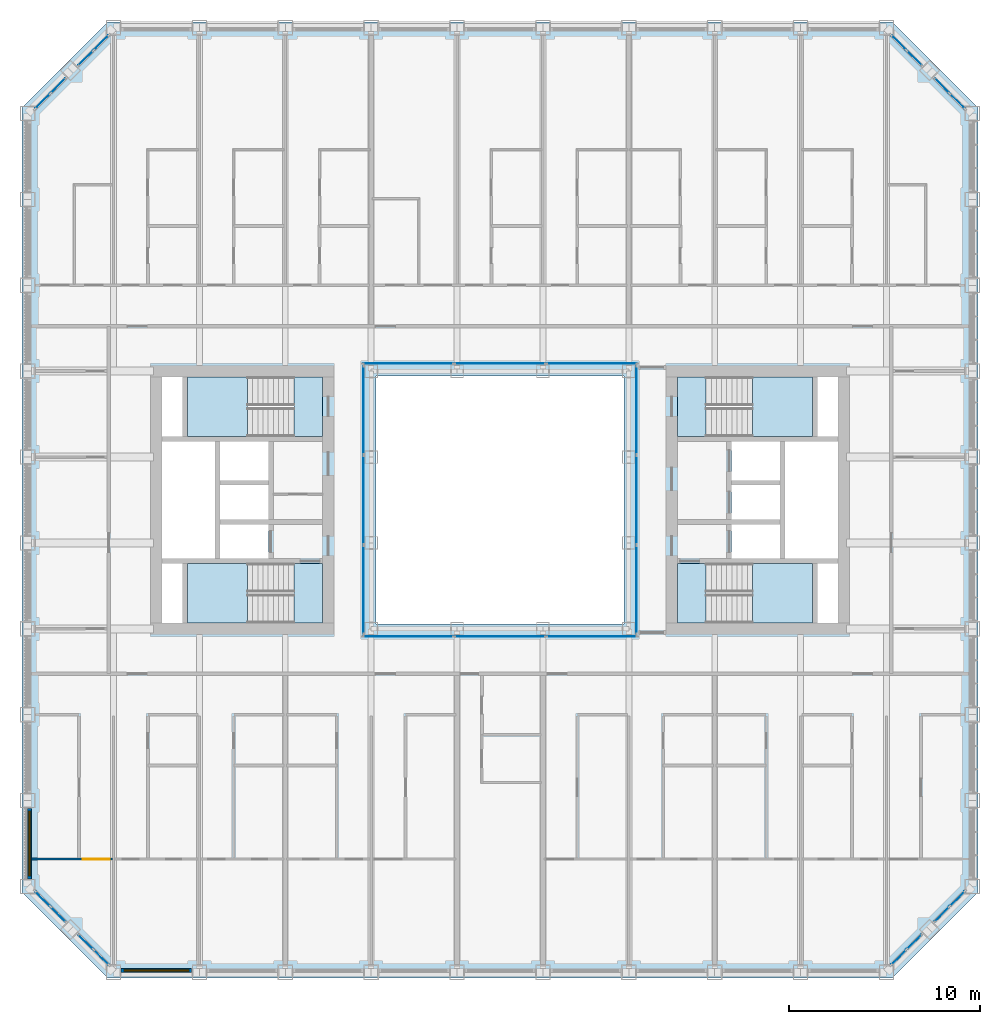
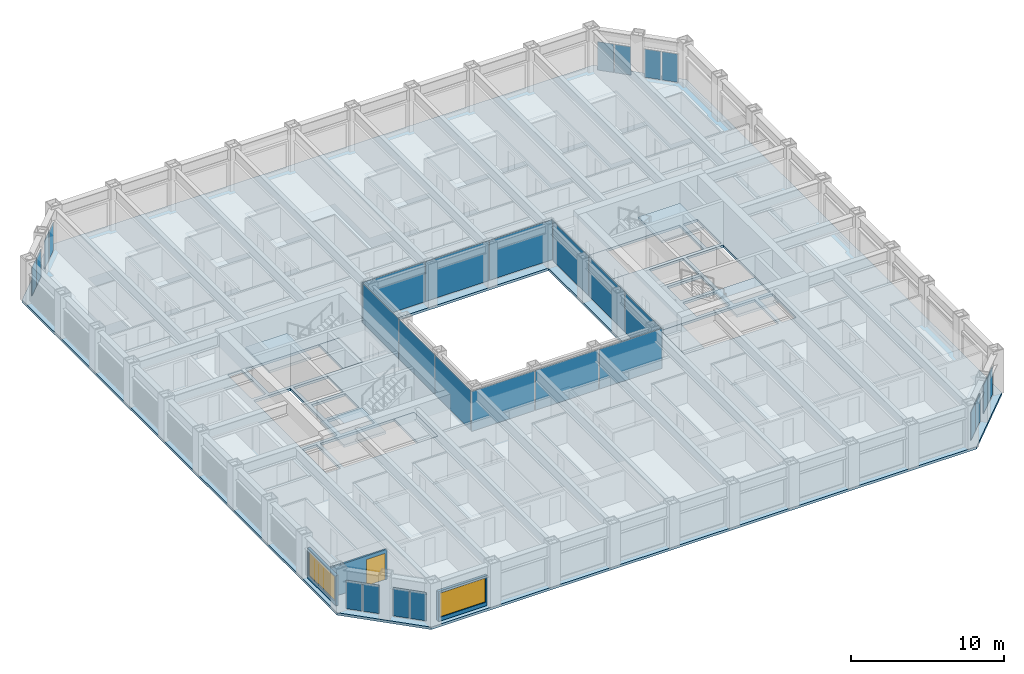
# One storey, part 8 of 21: 28 plates, 9 slabs, 3 walls, 2 windows, 1 door, 3 openings, 16 elements without a shape of their own.
"""IFC4 building model written with IfcOpenShell, lengths in metres."""

from ifc_helpers import new_model, si_unit, direction, frame, frame_2d, origin, origin_2d, place, context, subcontext, project, spatial, polyline, rectangle, outline, extrude, material, layer, layer_set, type_object, element, fill, aggregate, save


model = new_model("IFC4")

# Units and contexts
model_context = context("Model", 3, precision=1e-05, world=origin(), true_north=direction((0.0, 1.0)))
body_context = subcontext(model_context, "Body", "Model", "MODEL_VIEW")
ifc_project = project(units=[si_unit("LENGTHUNIT", "METRE"), si_unit("AREAUNIT", "SQUARE_METRE"), si_unit("VOLUMEUNIT", "CUBIC_METRE"), si_unit("PLANEANGLEUNIT", "RADIAN"), si_unit("MASSUNIT", "GRAM", prefix="KILO")], contexts=[model_context])

# Site, building, storey
site_placement = place(None, origin())
site = spatial("IfcSite", under=ifc_project, at=site_placement, CompositionType="ELEMENT")
building_placement = place(site_placement, origin())
building = spatial("IfcBuilding", under=site, at=building_placement, Name="Msasa Ring Tower", CompositionType="ELEMENT")
storey_placement = place(building_placement, frame((0.0, 0.0, 72.0)))
storey = spatial("IfcBuildingStorey", under=building, at=storey_placement, Name="L18", CompositionType="ELEMENT", Elevation=72.0)

# Curtain wall, plates
ifc_material_1 = material(Name="Aluminium curtain wall with clear glass", Category="aluminium")
curtain_wall_type_1 = type_object("IfcCurtainWallType", Name="CW-C CHAMFER CORNER CURTAIN WALL", PredefinedType="NOTDEFINED", material=ifc_material_1)
curtain_wall_1_placement = place(storey_placement, origin())
curtain_wall_1 = element("IfcCurtainWall", 1, at=curtain_wall_1_placement, inside=storey, type_object=curtain_wall_type_1, Name="Chamfer corner curtain wall SE L18", PredefinedType="NOTDEFINED")
ifc_material_2 = material(Name="Clear laminated insulating glass unit", Category="glass")
ifc_layer_1 = layer(ifc_material_2, 0.031982421875)
ifc_layer_set_1 = layer_set([ifc_layer_1], Name="CW-C GLASS PANEL 32")
plate_type_1 = type_object("IfcPlateType", Name="CW-C GLASS PANEL 32", PredefinedType="CURTAIN_PANEL", material=ifc_layer_set_1)
plate_1_placement = place(storey_placement, frame((20.896484375, -23.962158203125, 0.06494140625), z_axis=(0.0, 0.0, 1.0), x_axis=(0.707106781187, 0.707106781187, 0.0)))
plate_1 = element("IfcPlate", 2, at=plate_1_placement, type_object=plate_type_1, Name="CW-C panel 1.1", PredefinedType="CURTAIN_PANEL", context=body_context, shape_type="SweptSolid", body=[
    extrude(rectangle(XDim=1.08837890625, YDim=0.031982421875, at=origin_2d()), origin(), (0.0, 0.0, 1.0), 2.2490234375),
])
plate_2_placement = place(storey_placement, frame((21.712158203125, -23.146484375, 0.06494140625), z_axis=(0.0, 0.0, 1.0), x_axis=(0.707106781187, 0.707106781187, 0.0)))
plate_2 = element("IfcPlate", 3, at=plate_2_placement, type_object=plate_type_1, Name="CW-C panel 2.1", PredefinedType="CURTAIN_PANEL", context=body_context, shape_type="SweptSolid", body=[
    extrude(rectangle(XDim=1.08837890625, YDim=0.031982421875, at=origin_2d()), origin(), (0.0, 0.0, 1.0), 2.2490234375),
])
aggregate(curtain_wall_1, [plate_1, plate_2])

curtain_wall_2_placement = place(storey_placement, origin())
curtain_wall_2 = element("IfcCurtainWall", 4, at=curtain_wall_2_placement, inside=storey, type_object=curtain_wall_type_1, Name="Chamfer corner curtain wall SE L18", PredefinedType="NOTDEFINED")
plate_3_placement = place(storey_placement, frame((23.146484375, -21.712158203125, 0.06494140625), z_axis=(0.0, 0.0, 1.0), x_axis=(0.707106781187, 0.707106781187, 0.0)))
plate_3 = element("IfcPlate", 5, at=plate_3_placement, type_object=plate_type_1, Name="CW-C panel 1.1", PredefinedType="CURTAIN_PANEL", context=body_context, shape_type="SweptSolid", body=[
    extrude(rectangle(XDim=1.08837890625, YDim=0.031982421875, at=origin_2d()), origin(), (0.0, 0.0, 1.0), 2.2490234375),
])
plate_4_placement = place(storey_placement, frame((23.962158203125, -20.896484375, 0.06494140625), z_axis=(0.0, 0.0, 1.0), x_axis=(0.707106781187, 0.707106781187, 0.0)))
plate_4 = element("IfcPlate", 6, at=plate_4_placement, type_object=plate_type_1, Name="CW-C panel 2.1", PredefinedType="CURTAIN_PANEL", context=body_context, shape_type="SweptSolid", body=[
    extrude(rectangle(XDim=1.08837890625, YDim=0.031982421875, at=origin_2d()), origin(), (0.0, 0.0, 1.0), 2.2490234375),
])
aggregate(curtain_wall_2, [plate_3, plate_4])

curtain_wall_3_placement = place(storey_placement, origin())
curtain_wall_3 = element("IfcCurtainWall", 7, at=curtain_wall_3_placement, inside=storey, type_object=curtain_wall_type_1, Name="Chamfer corner curtain wall NE L18", PredefinedType="NOTDEFINED")
plate_5_placement = place(storey_placement, frame((21.712158203125, 23.146484375, 0.06494140625), z_axis=(0.0, 0.0, 1.0), x_axis=(-0.707106781187, 0.707106781187, 0.0)))
plate_5 = element("IfcPlate", 8, at=plate_5_placement, type_object=plate_type_1, Name="CW-C panel 1.1", PredefinedType="CURTAIN_PANEL", context=body_context, shape_type="SweptSolid", body=[
    extrude(rectangle(XDim=1.08837890625, YDim=0.031982421875, at=origin_2d()), origin(), (0.0, 0.0, 1.0), 2.2490234375),
])
plate_6_placement = place(storey_placement, frame((20.896484375, 23.962158203125, 0.06494140625), z_axis=(0.0, 0.0, 1.0), x_axis=(-0.707106781187, 0.707106781187, 0.0)))
plate_6 = element("IfcPlate", 9, at=plate_6_placement, type_object=plate_type_1, Name="CW-C panel 2.1", PredefinedType="CURTAIN_PANEL", context=body_context, shape_type="SweptSolid", body=[
    extrude(rectangle(XDim=1.08837890625, YDim=0.031982421875, at=origin_2d()), origin(), (0.0, 0.0, 1.0), 2.2490234375),
])
aggregate(curtain_wall_3, [plate_5, plate_6])

curtain_wall_4_placement = place(storey_placement, origin())
curtain_wall_4 = element("IfcCurtainWall", 10, at=curtain_wall_4_placement, inside=storey, type_object=curtain_wall_type_1, Name="Chamfer corner curtain wall NE L18", PredefinedType="NOTDEFINED")
plate_7_placement = place(storey_placement, frame((23.962158203125, 20.896484375, 0.06494140625), z_axis=(0.0, 0.0, 1.0), x_axis=(-0.707106781187, 0.707106781187, 0.0)))
plate_7 = element("IfcPlate", 11, at=plate_7_placement, type_object=plate_type_1, Name="CW-C panel 1.1", PredefinedType="CURTAIN_PANEL", context=body_context, shape_type="SweptSolid", body=[
    extrude(rectangle(XDim=1.08837890625, YDim=0.031982421875, at=origin_2d()), origin(), (0.0, 0.0, 1.0), 2.2490234375),
])
plate_8_placement = place(storey_placement, frame((23.146484375, 21.712158203125, 0.06494140625), z_axis=(0.0, 0.0, 1.0), x_axis=(-0.707106781187, 0.707106781187, 0.0)))
plate_8 = element("IfcPlate", 12, at=plate_8_placement, type_object=plate_type_1, Name="CW-C panel 2.1", PredefinedType="CURTAIN_PANEL", context=body_context, shape_type="SweptSolid", body=[
    extrude(rectangle(XDim=1.08837890625, YDim=0.031982421875, at=origin_2d()), origin(), (0.0, 0.0, 1.0), 2.2490234375),
])
aggregate(curtain_wall_4, [plate_7, plate_8])

curtain_wall_5_placement = place(storey_placement, origin())
curtain_wall_5 = element("IfcCurtainWall", 13, at=curtain_wall_5_placement, inside=storey, type_object=curtain_wall_type_1, Name="Chamfer corner curtain wall NW L18", PredefinedType="NOTDEFINED")
plate_9_placement = place(storey_placement, frame((-23.146484375, 21.712158203125, 0.06494140625), z_axis=(0.0, 0.0, 1.0), x_axis=(-0.707106781187, -0.707106781187, 0.0)))
plate_9 = element("IfcPlate", 14, at=plate_9_placement, type_object=plate_type_1, Name="CW-C panel 1.1", PredefinedType="CURTAIN_PANEL", context=body_context, shape_type="SweptSolid", body=[
    extrude(rectangle(XDim=1.08837890625, YDim=0.031982421875, at=origin_2d()), origin(), (0.0, 0.0, 1.0), 2.2490234375),
])
plate_10_placement = place(storey_placement, frame((-23.962158203125, 20.896484375, 0.06494140625), z_axis=(0.0, 0.0, 1.0), x_axis=(-0.707106781187, -0.707106781187, 0.0)))
plate_10 = element("IfcPlate", 15, at=plate_10_placement, type_object=plate_type_1, Name="CW-C panel 2.1", PredefinedType="CURTAIN_PANEL", context=body_context, shape_type="SweptSolid", body=[
    extrude(rectangle(XDim=1.08837890625, YDim=0.031982421875, at=origin_2d()), origin(), (0.0, 0.0, 1.0), 2.2490234375),
])
aggregate(curtain_wall_5, [plate_9, plate_10])

curtain_wall_6_placement = place(storey_placement, origin())
curtain_wall_6 = element("IfcCurtainWall", 16, at=curtain_wall_6_placement, inside=storey, type_object=curtain_wall_type_1, Name="Chamfer corner curtain wall NW L18", PredefinedType="NOTDEFINED")
plate_11_placement = place(storey_placement, frame((-20.896484375, 23.962158203125, 0.06494140625), z_axis=(0.0, 0.0, 1.0), x_axis=(-0.707106781187, -0.707106781187, 0.0)))
plate_11 = element("IfcPlate", 17, at=plate_11_placement, type_object=plate_type_1, Name="CW-C panel 1.1", PredefinedType="CURTAIN_PANEL", context=body_context, shape_type="SweptSolid", body=[
    extrude(rectangle(XDim=1.08837890625, YDim=0.031982421875, at=origin_2d()), origin(), (0.0, 0.0, 1.0), 2.2490234375),
])
plate_12_placement = place(storey_placement, frame((-21.712158203125, 23.146484375, 0.06494140625), z_axis=(0.0, 0.0, 1.0), x_axis=(-0.707106781187, -0.707106781187, 0.0)))
plate_12 = element("IfcPlate", 18, at=plate_12_placement, type_object=plate_type_1, Name="CW-C panel 2.1", PredefinedType="CURTAIN_PANEL", context=body_context, shape_type="SweptSolid", body=[
    extrude(rectangle(XDim=1.08837890625, YDim=0.031982421875, at=origin_2d()), origin(), (0.0, 0.0, 1.0), 2.2490234375),
])
aggregate(curtain_wall_6, [plate_11, plate_12])

curtain_wall_7_placement = place(storey_placement, origin())
curtain_wall_7 = element("IfcCurtainWall", 19, at=curtain_wall_7_placement, inside=storey, type_object=curtain_wall_type_1, Name="Chamfer corner curtain wall SW L18", PredefinedType="NOTDEFINED")
plate_13_placement = place(storey_placement, frame((-23.962158203125, -20.896484375, 0.06494140625), z_axis=(0.0, 0.0, 1.0), x_axis=(0.707106781187, -0.707106781187, 0.0)))
plate_13 = element("IfcPlate", 20, at=plate_13_placement, type_object=plate_type_1, Name="CW-C panel 1.1", PredefinedType="CURTAIN_PANEL", context=body_context, shape_type="SweptSolid", body=[
    extrude(rectangle(XDim=1.08837890625, YDim=0.031982421875, at=origin_2d()), origin(), (0.0, 0.0, 1.0), 2.2490234375),
])
plate_14_placement = place(storey_placement, frame((-23.146484375, -21.712158203125, 0.06494140625), z_axis=(0.0, 0.0, 1.0), x_axis=(0.707106781187, -0.707106781187, 0.0)))
plate_14 = element("IfcPlate", 21, at=plate_14_placement, type_object=plate_type_1, Name="CW-C panel 2.1", PredefinedType="CURTAIN_PANEL", context=body_context, shape_type="SweptSolid", body=[
    extrude(rectangle(XDim=1.08837890625, YDim=0.031982421875, at=origin_2d()), origin(), (0.0, 0.0, 1.0), 2.2490234375),
])
aggregate(curtain_wall_7, [plate_13, plate_14])

curtain_wall_8_placement = place(storey_placement, origin())
curtain_wall_8 = element("IfcCurtainWall", 22, at=curtain_wall_8_placement, inside=storey, type_object=curtain_wall_type_1, Name="Chamfer corner curtain wall SW L18", PredefinedType="NOTDEFINED")
plate_15_placement = place(storey_placement, frame((-21.712158203125, -23.146484375, 0.06494140625), z_axis=(0.0, 0.0, 1.0), x_axis=(0.707106781187, -0.707106781187, 0.0)))
plate_15 = element("IfcPlate", 23, at=plate_15_placement, type_object=plate_type_1, Name="CW-C panel 1.1", PredefinedType="CURTAIN_PANEL", context=body_context, shape_type="SweptSolid", body=[
    extrude(rectangle(XDim=1.08837890625, YDim=0.031982421875, at=origin_2d()), origin(), (0.0, 0.0, 1.0), 2.2490234375),
])
plate_16_placement = place(storey_placement, frame((-20.896484375, -23.962158203125, 0.06494140625), z_axis=(0.0, 0.0, 1.0), x_axis=(0.707106781187, -0.707106781187, 0.0)))
plate_16 = element("IfcPlate", 24, at=plate_16_placement, type_object=plate_type_1, Name="CW-C panel 2.1", PredefinedType="CURTAIN_PANEL", context=body_context, shape_type="SweptSolid", body=[
    extrude(rectangle(XDim=1.08837890625, YDim=0.031982421875, at=origin_2d()), origin(), (0.0, 0.0, 1.0), 2.2490234375),
])
aggregate(curtain_wall_8, [plate_15, plate_16])

ifc_material_3 = material(Name="Aluminium curtain wall with clear glass", Category="aluminium")
curtain_wall_type_2 = type_object("IfcCurtainWallType", Name="CW-W LIGHT WELL CURTAIN WALL", PredefinedType="NOTDEFINED", material=ifc_material_3)
curtain_wall_9_placement = place(storey_placement, origin())
curtain_wall_9 = element("IfcCurtainWall", 25, at=curtain_wall_9_placement, inside=storey, type_object=curtain_wall_type_2, Name="Light well curtain wall N L18", PredefinedType="NOTDEFINED")
ifc_material_4 = material(Name="Clear laminated insulating glass unit", Category="glass")
ifc_layer_2 = layer(ifc_material_4, 0.028076171875)
ifc_layer_set_2 = layer_set([ifc_layer_2], Name="CW-W GLASS PANEL 28")
plate_type_2 = type_object("IfcPlateType", Name="CW-W GLASS PANEL 28", PredefinedType="CURTAIN_PANEL", material=ifc_layer_set_2)
plate_17_placement = place(storey_placement, frame((-4.804931640625, 7.14990234375, 0.06005859375), z_axis=(0.0, 0.0, 1.0), x_axis=(1.0, 0.0, 0.0)))
plate_17 = element("IfcPlate", 26, at=plate_17_placement, type_object=plate_type_2, Name="CW-W panel 1.1", PredefinedType="CURTAIN_PANEL", context=body_context, shape_type="SweptSolid", body=[
    extrude(rectangle(XDim=4.72998046875, YDim=0.028076171875, at=origin_2d()), origin(), (0.0, 0.0, 1.0), 3.179931640625),
])
plate_18_placement = place(storey_placement, frame((0.0, 7.14990234375, 0.06005859375), z_axis=(0.0, 0.0, 1.0), x_axis=(1.0, 0.0, 0.0)))
plate_18 = element("IfcPlate", 27, at=plate_18_placement, type_object=plate_type_2, Name="CW-W panel 2.1", PredefinedType="CURTAIN_PANEL", context=body_context, shape_type="SweptSolid", body=[
    extrude(rectangle(XDim=4.760009765625, YDim=0.028076171875, at=origin_2d()), origin(), (0.0, 0.0, 1.0), 3.179931640625),
])
plate_19_placement = place(storey_placement, frame((4.804931640625, 7.14990234375, 0.06005859375), z_axis=(0.0, 0.0, 1.0), x_axis=(1.0, 0.0, 0.0)))
plate_19 = element("IfcPlate", 28, at=plate_19_placement, type_object=plate_type_2, Name="CW-W panel 3.1", PredefinedType="CURTAIN_PANEL", context=body_context, shape_type="SweptSolid", body=[
    extrude(rectangle(XDim=4.72998046875, YDim=0.028076171875, at=origin_2d()), origin(), (0.0, 0.0, 1.0), 3.179931640625),
])
aggregate(curtain_wall_9, [plate_17, plate_18, plate_19])

curtain_wall_10_placement = place(storey_placement, origin())
curtain_wall_10 = element("IfcCurtainWall", 29, at=curtain_wall_10_placement, inside=storey, type_object=curtain_wall_type_2, Name="Light well curtain wall S L18", PredefinedType="NOTDEFINED")
plate_20_placement = place(storey_placement, frame((-4.804931640625, -7.14990234375, 0.06005859375), z_axis=(0.0, 0.0, 1.0), x_axis=(1.0, 0.0, 0.0)))
plate_20 = element("IfcPlate", 30, at=plate_20_placement, type_object=plate_type_2, Name="CW-W panel 1.1", PredefinedType="CURTAIN_PANEL", context=body_context, shape_type="SweptSolid", body=[
    extrude(rectangle(XDim=4.72998046875, YDim=0.028076171875, at=origin_2d()), origin(), (0.0, 0.0, 1.0), 3.179931640625),
])
plate_21_placement = place(storey_placement, frame((0.0, -7.14990234375, 0.06005859375), z_axis=(0.0, 0.0, 1.0), x_axis=(1.0, 0.0, 0.0)))
plate_21 = element("IfcPlate", 31, at=plate_21_placement, type_object=plate_type_2, Name="CW-W panel 2.1", PredefinedType="CURTAIN_PANEL", context=body_context, shape_type="SweptSolid", body=[
    extrude(rectangle(XDim=4.760009765625, YDim=0.028076171875, at=origin_2d()), origin(), (0.0, 0.0, 1.0), 3.179931640625),
])
plate_22_placement = place(storey_placement, frame((4.804931640625, -7.14990234375, 0.06005859375), z_axis=(0.0, 0.0, 1.0), x_axis=(1.0, 0.0, 0.0)))
plate_22 = element("IfcPlate", 32, at=plate_22_placement, type_object=plate_type_2, Name="CW-W panel 3.1", PredefinedType="CURTAIN_PANEL", context=body_context, shape_type="SweptSolid", body=[
    extrude(rectangle(XDim=4.72998046875, YDim=0.028076171875, at=origin_2d()), origin(), (0.0, 0.0, 1.0), 3.179931640625),
])
aggregate(curtain_wall_10, [plate_20, plate_21, plate_22])

curtain_wall_11_placement = place(storey_placement, origin())
curtain_wall_11 = element("IfcCurtainWall", 33, at=curtain_wall_11_placement, inside=storey, type_object=curtain_wall_type_2, Name="Light well curtain wall E L18", PredefinedType="NOTDEFINED")
plate_23_placement = place(storey_placement, frame((7.14990234375, -4.6982421875, 0.06005859375), z_axis=(0.0, 0.0, 1.0), x_axis=(0.0, 1.0, 0.0)))
plate_23 = element("IfcPlate", 34, at=plate_23_placement, type_object=plate_type_2, Name="CW-W panel 1.1", PredefinedType="CURTAIN_PANEL", context=body_context, shape_type="SweptSolid", body=[
    extrude(rectangle(XDim=4.623291015625, YDim=0.028076171875, at=origin_2d()), origin(), (0.0, 0.0, 1.0), 3.179931640625),
])
plate_24_placement = place(storey_placement, frame((7.14990234375, 0.0, 0.06005859375), z_axis=(0.0, 0.0, 1.0), x_axis=(0.0, 1.0, 0.0)))
plate_24 = element("IfcPlate", 35, at=plate_24_placement, type_object=plate_type_2, Name="CW-W panel 2.1", PredefinedType="CURTAIN_PANEL", context=body_context, shape_type="SweptSolid", body=[
    extrude(rectangle(XDim=4.6533203125, YDim=0.028076171875, at=origin_2d()), origin(), (0.0, 0.0, 1.0), 3.179931640625),
])
plate_25_placement = place(storey_placement, frame((7.14990234375, 4.6982421875, 0.06005859375), z_axis=(0.0, 0.0, 1.0), x_axis=(0.0, 1.0, 0.0)))
plate_25 = element("IfcPlate", 36, at=plate_25_placement, type_object=plate_type_2, Name="CW-W panel 3.1", PredefinedType="CURTAIN_PANEL", context=body_context, shape_type="SweptSolid", body=[
    extrude(rectangle(XDim=4.623291015625, YDim=0.028076171875, at=origin_2d()), origin(), (0.0, 0.0, 1.0), 3.179931640625),
])
aggregate(curtain_wall_11, [plate_23, plate_24, plate_25])

curtain_wall_12_placement = place(storey_placement, origin())
curtain_wall_12 = element("IfcCurtainWall", 37, at=curtain_wall_12_placement, inside=storey, type_object=curtain_wall_type_2, Name="Light well curtain wall W L18", PredefinedType="NOTDEFINED")
plate_26_placement = place(storey_placement, frame((-7.14990234375, -4.6982421875, 0.06005859375), z_axis=(0.0, 0.0, 1.0), x_axis=(0.0, 1.0, 0.0)))
plate_26 = element("IfcPlate", 38, at=plate_26_placement, type_object=plate_type_2, Name="CW-W panel 1.1", PredefinedType="CURTAIN_PANEL", context=body_context, shape_type="SweptSolid", body=[
    extrude(rectangle(XDim=4.623291015625, YDim=0.028076171875, at=origin_2d()), origin(), (0.0, 0.0, 1.0), 3.179931640625),
])
plate_27_placement = place(storey_placement, frame((-7.14990234375, 0.0, 0.06005859375), z_axis=(0.0, 0.0, 1.0), x_axis=(0.0, 1.0, 0.0)))
plate_27 = element("IfcPlate", 39, at=plate_27_placement, type_object=plate_type_2, Name="CW-W panel 2.1", PredefinedType="CURTAIN_PANEL", context=body_context, shape_type="SweptSolid", body=[
    extrude(rectangle(XDim=4.6533203125, YDim=0.028076171875, at=origin_2d()), origin(), (0.0, 0.0, 1.0), 3.179931640625),
])
plate_28_placement = place(storey_placement, frame((-7.14990234375, 4.6982421875, 0.06005859375), z_axis=(0.0, 0.0, 1.0), x_axis=(0.0, 1.0, 0.0)))
plate_28 = element("IfcPlate", 40, at=plate_28_placement, type_object=plate_type_2, Name="CW-W panel 3.1", PredefinedType="CURTAIN_PANEL", context=body_context, shape_type="SweptSolid", body=[
    extrude(rectangle(XDim=4.623291015625, YDim=0.028076171875, at=origin_2d()), origin(), (0.0, 0.0, 1.0), 3.179931640625),
])
aggregate(curtain_wall_12, [plate_26, plate_27, plate_28])

# Stair, slabs
ifc_material_5 = material(Name="Concrete C40/50", Category="concrete")
stair_type = type_object("IfcStairType", Name="STC CORE STAIR 20 RISERS 175", PredefinedType="HALF_TURN_STAIR", material=ifc_material_5)
stair_1_placement = place(storey_placement, origin())
stair_1 = element("IfcStair", 41, at=stair_1_placement, inside=storey, type_object=stair_type, Name="Core stair SEA L18", PredefinedType="HALF_TURN_STAIR")
ifc_material_6 = material(Name="Concrete C40/50", Category="concrete")
ifc_layer_3 = layer(ifc_material_6, 0.199951171875)
ifc_layer_set_3 = layer_set([ifc_layer_3], Name="LD1 CORE STAIR LANDING 200")
slab_type_1 = type_object("IfcSlabType", Name="LD1 CORE STAIR LANDING 200", PredefinedType="LANDING", material=ifc_layer_set_3)
slab_1_placement = place(storey_placement, frame((0.0, 0.0, -0.199951171875)))
slab_1 = element("IfcSlab", 42, at=slab_1_placement, type_object=slab_type_1, Name="SEA landing 1", PredefinedType="LANDING", context=body_context, shape_type="SweptSolid", body=[
    extrude(outline(polyline([(9.300048828125, -6.449951171875), (10.800048828125, -6.449951171875), (10.800048828125, -3.324951171875), (9.300048828125, -3.324951171875), (9.300048828125, -6.449951171875)])), origin(), (0.0, 0.0, 1.0), 0.199951171875),
])
slab_2_placement = place(storey_placement, frame((0.0, 0.0, 1.550048828125)))
slab_2 = element("IfcSlab", 43, at=slab_2_placement, type_object=slab_type_1, Name="SEA landing 2", PredefinedType="LANDING", context=body_context, shape_type="SweptSolid", body=[
    extrude(outline(polyline([(13.22998046875, -6.449951171875), (16.375, -6.449951171875), (16.375, -3.324951171875), (13.22998046875, -3.324951171875), (13.22998046875, -6.449951171875)])), origin(), (0.0, 0.0, 1.0), 0.199951171875),
])
aggregate(stair_1, [slab_1, slab_2])

stair_2_placement = place(storey_placement, origin())
stair_2 = element("IfcStair", 44, at=stair_2_placement, inside=storey, type_object=stair_type, Name="Core stair SEB L18", PredefinedType="HALF_TURN_STAIR")
slab_3_placement = place(storey_placement, frame((0.0, 0.0, -0.199951171875)))
slab_3 = element("IfcSlab", 45, at=slab_3_placement, type_object=slab_type_1, Name="SEB landing 1", PredefinedType="LANDING", context=body_context, shape_type="SweptSolid", body=[
    extrude(outline(polyline([(9.300048828125, 3.324951171875), (10.800048828125, 3.324951171875), (10.800048828125, 6.449951171875), (9.300048828125, 6.449951171875), (9.300048828125, 3.324951171875)])), origin(), (0.0, 0.0, 1.0), 0.199951171875),
])
slab_4_placement = place(storey_placement, frame((0.0, 0.0, 1.550048828125)))
slab_4 = element("IfcSlab", 46, at=slab_4_placement, type_object=slab_type_1, Name="SEB landing 2", PredefinedType="LANDING", context=body_context, shape_type="SweptSolid", body=[
    extrude(outline(polyline([(13.22998046875, 3.324951171875), (16.375, 3.324951171875), (16.375, 6.449951171875), (13.22998046875, 6.449951171875), (13.22998046875, 3.324951171875)])), origin(), (0.0, 0.0, 1.0), 0.199951171875),
])
aggregate(stair_2, [slab_3, slab_4])

stair_3_placement = place(storey_placement, origin())
stair_3 = element("IfcStair", 47, at=stair_3_placement, inside=storey, type_object=stair_type, Name="Core stair SWA L18", PredefinedType="HALF_TURN_STAIR")
slab_5_placement = place(storey_placement, frame((0.0, 0.0, -0.199951171875)))
slab_5 = element("IfcSlab", 48, at=slab_5_placement, type_object=slab_type_1, Name="SWA landing 1", PredefinedType="LANDING", context=body_context, shape_type="SweptSolid", body=[
    extrude(outline(polyline([(-10.800048828125, -6.449951171875), (-9.300048828125, -6.449951171875), (-9.300048828125, -3.324951171875), (-10.800048828125, -3.324951171875), (-10.800048828125, -6.449951171875)])), origin(), (0.0, 0.0, 1.0), 0.199951171875),
])
slab_6_placement = place(storey_placement, frame((0.0, 0.0, 1.550048828125)))
slab_6 = element("IfcSlab", 49, at=slab_6_placement, type_object=slab_type_1, Name="SWA landing 2", PredefinedType="LANDING", context=body_context, shape_type="SweptSolid", body=[
    extrude(outline(polyline([(-16.375, -6.449951171875), (-13.22998046875, -6.449951171875), (-13.22998046875, -3.324951171875), (-16.375, -3.324951171875), (-16.375, -6.449951171875)])), origin(), (0.0, 0.0, 1.0), 0.199951171875),
])
aggregate(stair_3, [slab_5, slab_6])

stair_4_placement = place(storey_placement, origin())
stair_4 = element("IfcStair", 50, at=stair_4_placement, inside=storey, type_object=stair_type, Name="Core stair SWB L18", PredefinedType="HALF_TURN_STAIR")
slab_7_placement = place(storey_placement, frame((0.0, 0.0, -0.199951171875)))
slab_7 = element("IfcSlab", 51, at=slab_7_placement, type_object=slab_type_1, Name="SWB landing 1", PredefinedType="LANDING", context=body_context, shape_type="SweptSolid", body=[
    extrude(outline(polyline([(-10.800048828125, 3.324951171875), (-9.300048828125, 3.324951171875), (-9.300048828125, 6.449951171875), (-10.800048828125, 6.449951171875), (-10.800048828125, 3.324951171875)])), origin(), (0.0, 0.0, 1.0), 0.199951171875),
])
slab_8_placement = place(storey_placement, frame((0.0, 0.0, 1.550048828125)))
slab_8 = element("IfcSlab", 52, at=slab_8_placement, type_object=slab_type_1, Name="SWB landing 2", PredefinedType="LANDING", context=body_context, shape_type="SweptSolid", body=[
    extrude(outline(polyline([(-16.375, 3.324951171875), (-13.22998046875, 3.324951171875), (-13.22998046875, 6.449951171875), (-16.375, 6.449951171875), (-16.375, 3.324951171875)])), origin(), (0.0, 0.0, 1.0), 0.199951171875),
])
aggregate(stair_4, [slab_7, slab_8])

# Slab
ifc_material_7 = material(Name="Concrete C40/50", Category="concrete")
ifc_layer_4 = layer(ifc_material_7, 0.199951171875)
ifc_layer_set_4 = layer_set([ifc_layer_4], Name="S3 RESIDENCE FLOOR 200")
slab_type_2 = type_object("IfcSlabType", Name="S3 RESIDENCE FLOOR 200", PredefinedType="FLOOR", material=ifc_layer_set_4)
slab_9_placement = place(storey_placement, frame((0.0, 0.0, -0.199951171875)))
element("IfcSlab", 53, at=slab_9_placement, inside=storey, type_object=slab_type_2, Name="Floor slab L18", PredefinedType="FLOOR", context=body_context, shape_type="SweptSolid", body=[
    extrude(outline(polyline([(-20.550048828125, -25.050048828125), (20.550048828125, -25.050048828125), (25.050048828125, -20.550048828125), (25.050048828125, 20.550048828125), (20.550048828125, 25.050048828125), (-20.550048828125, 25.050048828125), (-25.050048828125, 20.550048828125), (-25.050048828125, -20.550048828125), (-20.550048828125, -25.050048828125)]), holes=[polyline([(-6.5, -6.5), (6.5, -6.5), (6.5, 6.5), (-6.5, 6.5), (-6.5, -6.5)]), polyline([(9.300048828125, -6.449951171875), (16.375, -6.449951171875), (16.375, -3.324951171875), (9.300048828125, -3.324951171875), (9.300048828125, -6.449951171875)]), polyline([(9.300048828125, 3.324951171875), (16.375, 3.324951171875), (16.375, 6.449951171875), (9.300048828125, 6.449951171875), (9.300048828125, 3.324951171875)]), polyline([(12.125, -3.074951171875), (14.675048828125, -3.074951171875), (14.675048828125, -1.27490234375), (12.125, -1.27490234375), (12.125, -3.074951171875)]), polyline([(12.125, -1.02490234375), (14.675048828125, -1.02490234375), (14.675048828125, 0.77490234375), (12.125, 0.77490234375), (12.125, -1.02490234375)]), polyline([(12.125, 1.02490234375), (14.675048828125, 1.02490234375), (14.675048828125, 3.074951171875), (12.125, 3.074951171875), (12.125, 1.02490234375)]), polyline([(16.625, -6.449951171875), (17.699951171875, -6.449951171875), (17.699951171875, -3.324951171875), (16.625, -3.324951171875), (16.625, -6.449951171875)]), polyline([(16.625, 3.324951171875), (17.699951171875, 3.324951171875), (17.699951171875, 6.449951171875), (16.625, 6.449951171875), (16.625, 3.324951171875)]), polyline([(14.925048828125, -3.074951171875), (17.699951171875, -3.074951171875), (17.699951171875, 3.074951171875), (14.925048828125, 3.074951171875), (14.925048828125, -3.074951171875)]), polyline([(-16.375, -6.449951171875), (-9.300048828125, -6.449951171875), (-9.300048828125, -3.324951171875), (-16.375, -3.324951171875), (-16.375, -6.449951171875)]), polyline([(-16.375, 3.324951171875), (-9.300048828125, 3.324951171875), (-9.300048828125, 6.449951171875), (-16.375, 6.449951171875), (-16.375, 3.324951171875)]), polyline([(-14.675048828125, -3.074951171875), (-12.125, -3.074951171875), (-12.125, -1.27490234375), (-14.675048828125, -1.27490234375), (-14.675048828125, -3.074951171875)]), polyline([(-14.675048828125, -1.02490234375), (-12.125, -1.02490234375), (-12.125, 0.77490234375), (-14.675048828125, 0.77490234375), (-14.675048828125, -1.02490234375)]), polyline([(-14.675048828125, 1.02490234375), (-12.125, 1.02490234375), (-12.125, 3.074951171875), (-14.675048828125, 3.074951171875), (-14.675048828125, 1.02490234375)]), polyline([(-17.699951171875, -6.449951171875), (-16.625, -6.449951171875), (-16.625, -3.324951171875), (-17.699951171875, -3.324951171875), (-17.699951171875, -6.449951171875)]), polyline([(-17.699951171875, 3.324951171875), (-16.625, 3.324951171875), (-16.625, 6.449951171875), (-17.699951171875, 6.449951171875), (-17.699951171875, 3.324951171875)]), polyline([(-17.699951171875, -3.074951171875), (-14.925048828125, -3.074951171875), (-14.925048828125, 3.074951171875), (-17.699951171875, 3.074951171875), (-17.699951171875, -3.074951171875)])]), origin(), (0.0, 0.0, 1.0), 0.199951171875),
])

# Wall, opening, window
ifc_material_8 = material(Name="Terracotta rainscreen on blockwork", Category="masonry")
ifc_layer_5 = layer(ifc_material_8, 0.199951171875)
ifc_layer_set_5 = layer_set([ifc_layer_5], Name="FW1 TERRACOTTA-LINED INFILL BAY WALL 200")
wall_type_1 = type_object("IfcWallType", Name="FW1 TERRACOTTA-LINED INFILL BAY WALL 200", PredefinedType="SOLIDWALL", material=ifc_layer_set_5)
wall_1_placement = place(storey_placement, frame((-19.844970703125, -24.64990234375, 0.0), z_axis=(0.0, 0.0, 1.0), x_axis=(1.0, 0.0, 0.0)))
wall_1 = element("IfcWall", 54, at=wall_1_placement, inside=storey, type_object=wall_type_1, Name="Infill bay wall S L18 00", PredefinedType="SOLIDWALL", context=body_context, shape_type="SweptSolid", body=[
    extrude(rectangle(XDim=3.68994140625, YDim=0.199951171875, at=frame_2d((1.844970703125, 0.0))), origin(), (0.0, 0.0, 1.0), 2.37890625),
])
opening_1_placement = place(wall_1_placement, frame((0.14501953125, 0.0, 0.300048828125)))
opening_1 = element("IfcOpeningElement", 55, at=opening_1_placement, cuts=wall_1, Name="Opening WN1", PredefinedType="OPENING", context=body_context, shape_type="SweptSolid", body=[
    extrude(rectangle(XDim=3.39990234375, YDim=1.928955078125, at=frame_2d((1.699951171875, 0.96435546875))), frame((0.0, 0.10986328125, 0.0), z_axis=(0.0, -1.0, 0.0), x_axis=(1.0, 0.0, 0.0)), (0.0, 0.0, 1.0), 0.219970703125),
])
ifc_material_9 = material(Name="Aluminium frame with clear glass", Category="aluminium")
window_type = type_object("IfcWindowType", Name="WN1 RESIDENCE WINDOW 3400x1929", PartitioningType="SINGLE_PANEL", PredefinedType="WINDOW", material=ifc_material_9)
window_1_placement = place(opening_1_placement, origin())
window_1 = element("IfcWindow", 56, at=window_1_placement, inside=storey, type_object=window_type, Name="Window S L18 00", OverallHeight=1.928955078125, OverallWidth=3.39990234375, PartitioningType="SINGLE_PANEL", PredefinedType="WINDOW", context=body_context, shape_type="SweptSolid", body=[
    extrude(rectangle(XDim=3.39990234375, YDim=1.928955078125, at=frame_2d((1.699951171875, 0.96435546875))), frame((0.0, 0.030029296875, 0.0), z_axis=(0.0, -1.0, 0.0), x_axis=(1.0, 0.0, 0.0)), (0.0, 0.0, 1.0), 0.06005859375),
])
fill(opening_1, window_1)

wall_2_placement = place(storey_placement, frame((-24.64990234375, -19.844970703125, 0.0), z_axis=(0.0, 0.0, 1.0), x_axis=(0.0, 1.0, 0.0)))
wall_2 = element("IfcWall", 57, at=wall_2_placement, inside=storey, type_object=wall_type_1, Name="Infill bay wall W L18 33", PredefinedType="SOLIDWALL", context=body_context, shape_type="SweptSolid", body=[
    extrude(rectangle(XDim=3.68994140625, YDim=0.199951171875, at=frame_2d((1.844970703125, 0.0))), origin(), (0.0, 0.0, 1.0), 2.37890625),
])
opening_2_placement = place(wall_2_placement, frame((0.14501953125, 0.0, 0.300048828125)))
opening_2 = element("IfcOpeningElement", 58, at=opening_2_placement, cuts=wall_2, Name="Opening WN1", PredefinedType="OPENING", context=body_context, shape_type="SweptSolid", body=[
    extrude(rectangle(XDim=3.39990234375, YDim=1.928955078125, at=frame_2d((1.699951171875, 0.96435546875))), frame((0.0, 0.10986328125, 0.0), z_axis=(0.0, -1.0, 0.0), x_axis=(1.0, 0.0, 0.0)), (0.0, 0.0, 1.0), 0.219970703125),
])
window_2_placement = place(opening_2_placement, origin())
window_2 = element("IfcWindow", 59, at=window_2_placement, inside=storey, type_object=window_type, Name="Window W L18 33", OverallHeight=1.928955078125, OverallWidth=3.39990234375, PartitioningType="SINGLE_PANEL", PredefinedType="WINDOW", context=body_context, shape_type="SweptSolid", body=[
    extrude(rectangle(XDim=3.39990234375, YDim=1.928955078125, at=frame_2d((1.699951171875, 0.96435546875))), frame((0.0, 0.030029296875, 0.0), z_axis=(0.0, -1.0, 0.0), x_axis=(1.0, 0.0, 0.0)), (0.0, 0.0, 1.0), 0.06005859375),
])
fill(opening_2, window_2)

# Wall, opening, door
ifc_material_10 = material(Name="Two layers of acoustic board each face on steel studs, mineral wool", Category="steel")
ifc_layer_6 = layer(ifc_material_10, 0.125)
ifc_layer_set_6 = layer_set([ifc_layer_6], Name="PT6 ACOUSTIC DOUBLE-BOARD PARTITION 125")
wall_type_2 = type_object("IfcWallType", Name="PT6 ACOUSTIC DOUBLE-BOARD PARTITION 125", PredefinedType="PARTITIONING", material=ifc_layer_set_6)
wall_3_placement = place(storey_placement, frame((-24.550048828125, -18.8125, 0.0), z_axis=(0.0, 0.0, 1.0), x_axis=(1.0, 0.0, 0.0)))
wall_3 = element("IfcWall", 60, at=wall_3_placement, inside=storey, type_object=wall_type_2, Name="Partition L18-US00SY0", PredefinedType="PARTITIONING", context=body_context, shape_type="SweptSolid", body=[
    extrude(rectangle(XDim=4.237548828125, YDim=0.125, at=frame_2d((2.11865234375, 0.0))), origin(), (0.0, 0.0, 1.0), 2.373291015625),
])
opening_3_placement = place(wall_3_placement, frame((2.699951171875, 0.0, 0.0)))
opening_3 = element("IfcOpeningElement", 61, at=opening_3_placement, cuts=wall_3, Name="Opening RE-073", PredefinedType="OPENING", context=body_context, shape_type="SweptSolid", body=[
    extrude(rectangle(XDim=1.39990234375, YDim=2.10009765625, at=frame_2d((0.699951171875, 1.050048828125))), frame((0.0, 0.072509765625, 0.0), z_axis=(0.0, -1.0, 0.0), x_axis=(1.0, 0.0, 0.0)), (0.0, 0.0, 1.0), 0.14501953125),
])
ifc_material_11 = material(Name="Timber door leaf in a steel frame", Category="steel")
door_type = type_object("IfcDoorType", Name="D15 LIVING ROOM PAIR OF GLAZED DOORS 1400x2100", OperationType="SINGLE_SWING_LEFT", PredefinedType="DOOR", material=ifc_material_11)
door_placement = place(opening_3_placement, origin())
door = element("IfcDoor", 62, at=door_placement, inside=storey, type_object=door_type, Name="Door L18-US00L", OperationType="SINGLE_SWING_RIGHT", OverallHeight=2.10009765625, OverallWidth=1.39990234375, PredefinedType="DOOR", context=body_context, shape_type="SweptSolid", body=[
    extrude(rectangle(XDim=1.39990234375, YDim=2.10009765625, at=frame_2d((0.699951171875, 1.050048828125))), frame((0.0, 0.02490234375, 0.0), z_axis=(0.0, -1.0, 0.0), x_axis=(1.0, 0.0, 0.0)), (0.0, 0.0, 1.0), 0.050048828125),
])
fill(opening_3, door)

save(model, "model.ifc")
